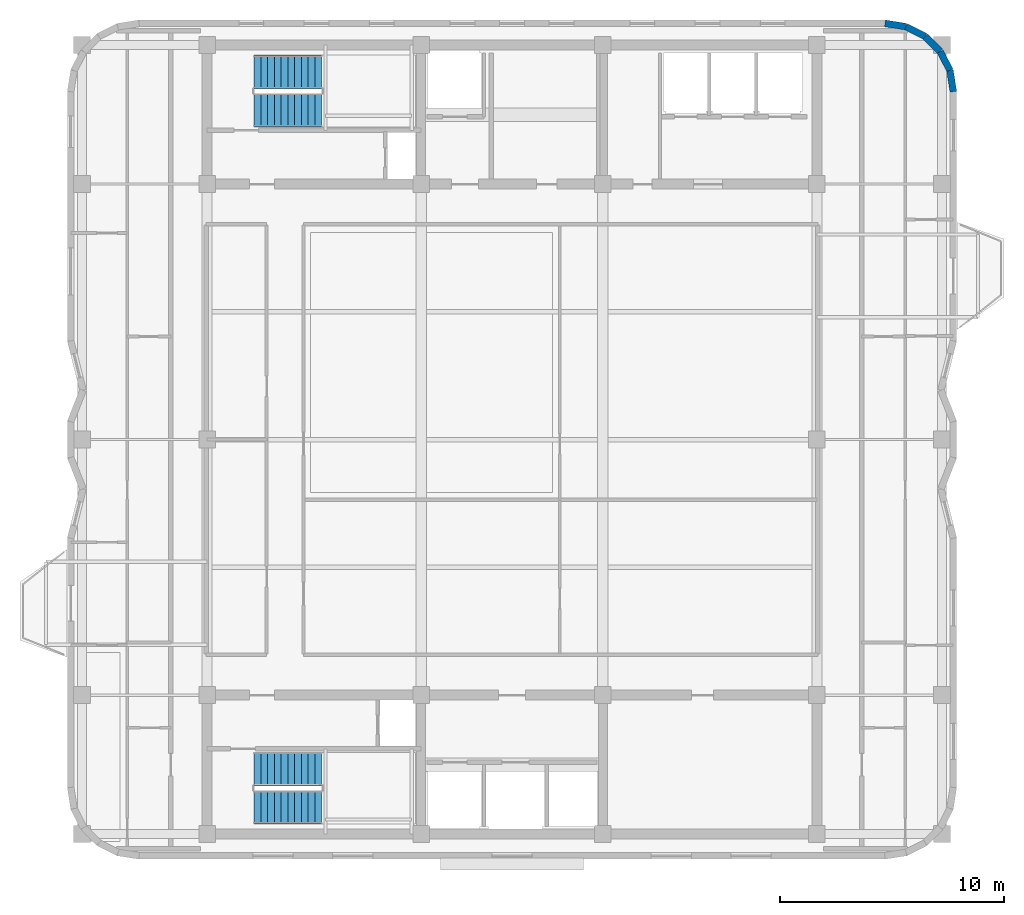
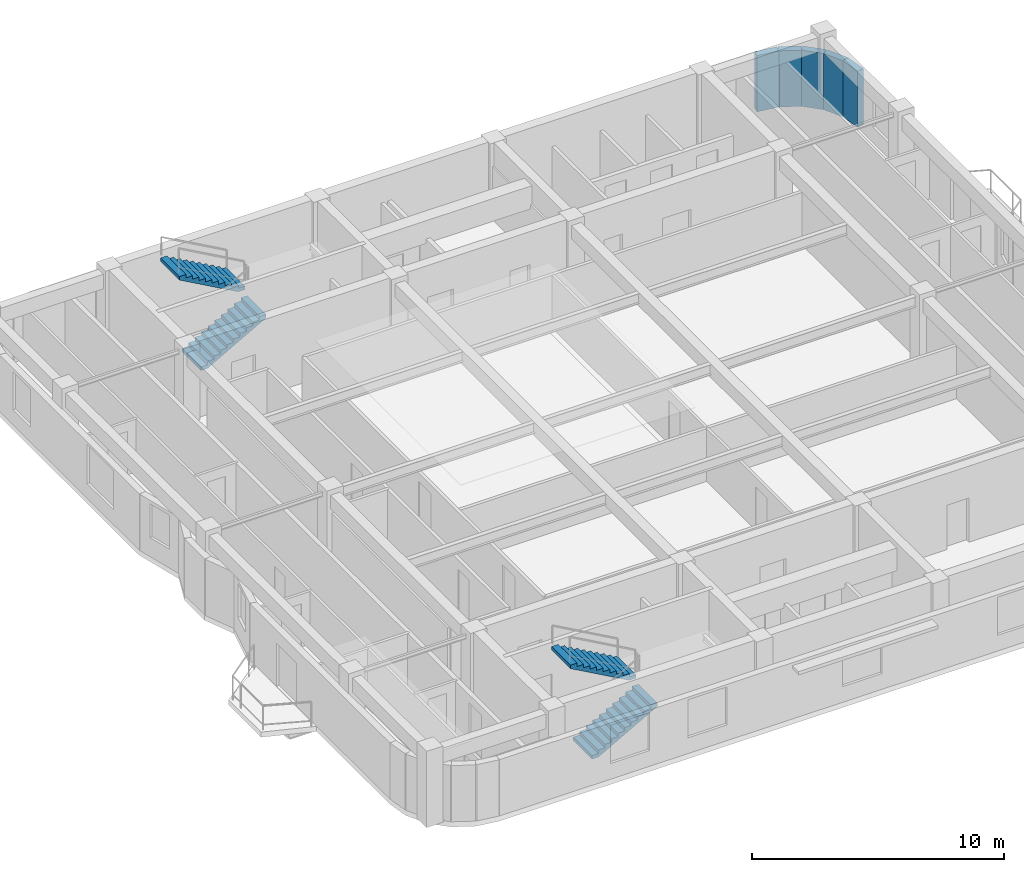
# One storey, part 6 of 8: 5 walls, 4 stair flights, 2 elements without a shape of their own.
"""IFC4 building model written with IfcOpenShell, lengths in metres."""

from ifc_helpers import new_model, si_unit, direction, frame, frame_2d, origin, place, context, subcontext, project, spatial, polyline, rectangle, outline, extrude, material, layer, layer_set, type_object, element, aggregate, save


model = new_model("IFC4")

# Units and contexts
model_context = context("Model", 3, precision=1e-05, world=origin(), true_north=direction((0.0, 1.0)))
body_context = subcontext(model_context, "Body", "Model", "MODEL_VIEW")
ifc_project = project(units=[si_unit("LENGTHUNIT", "METRE"), si_unit("AREAUNIT", "SQUARE_METRE"), si_unit("VOLUMEUNIT", "CUBIC_METRE"), si_unit("PLANEANGLEUNIT", "RADIAN"), si_unit("MASSUNIT", "GRAM", prefix="KILO")], contexts=[model_context])

# Site, building, storey
site_placement = place(None, origin())
site = spatial("IfcSite", under=ifc_project, at=site_placement, CompositionType="ELEMENT")
building_placement = place(site_placement, origin())
building = spatial("IfcBuilding", under=site, at=building_placement, Name="Svetorya Sky Lyceum", CompositionType="ELEMENT")
storey_placement = place(building_placement, frame((0.0, 0.0, 260.199951171875)))
storey = spatial("IfcBuildingStorey", under=building, at=storey_placement, Name="L65", CompositionType="ELEMENT", Elevation=260.199951171875)

# Walls
ifc_material_1 = material(Name="Putilovo limestone rainscreen on autoclaved cellular masonry", Category="masonry")
ifc_layer = layer(ifc_material_1, 0.300048828125)
ifc_layer_set = layer_set([ifc_layer], Name="Putilovo limestone rainscreen on autoclaved cellular masonry")
wall_type = type_object("IfcWallType", Name="WL-EXT-300", PredefinedType="SOLIDWALL", material=ifc_layer_set)
wall_1_placement = place(storey_placement, frame((58.889892578125, 43.719970703125, 0.0), z_axis=(0.0, 0.0, 1.0), x_axis=(-0.156304114255, 0.987708977314, 0.0)))
element("IfcWall", 1, at=wall_1_placement, inside=storey, type_object=wall_type, Name="L65 Limestone Exterior Wall 19M", PredefinedType="SOLIDWALL", context=body_context, shape_type="SweptSolid", body=[
    extrude(rectangle(XDim=0.954345703125, YDim=0.300048828125, at=frame_2d((0.47705078125, 0.0))), origin(), (0.0, 0.0, 1.0), 2.72998046875),
])
wall_2_placement = place(storey_placement, frame((58.74072265625, 44.66259765625, 0.0), z_axis=(0.0, 0.0, 1.0), x_axis=(-0.45395644796, 0.891023873617, 0.0)))
element("IfcWall", 2, at=wall_2_placement, inside=storey, type_object=wall_type, Name="L65 Limestone Exterior Wall 20M", PredefinedType="SOLIDWALL", context=body_context, shape_type="SweptSolid", body=[
    extrude(rectangle(XDim=0.9541015625, YDim=0.300048828125, at=frame_2d((0.47705078125, 0.0))), origin(), (0.0, 0.0, 1.0), 2.72998046875),
])
for number, where, z_axis, x_axis, name in (
    (3, (58.3076171875, 45.5126953125, 0.0), (0.0, 0.0, 1.0), (-0.707106781187, 0.707106781187, 0.0), "L65 Limestone Exterior Wall 21M"),
    (4, (57.6328125, 46.1875, 0.0), (0.0, 0.0, 1.0), (-0.891076589373, 0.453852962833, 0.0), "L65 Limestone Exterior Wall 22M"),
):
    element("IfcWall", number, at=place(storey_placement, frame(where, z_axis=z_axis, x_axis=x_axis)), inside=storey, type_object=wall_type, Name=name, PredefinedType="SOLIDWALL", context=body_context, shape_type="SweptSolid", body=[
        extrude(rectangle(XDim=0.954345703125, YDim=0.300048828125, at=frame_2d((0.47705078125, 0.0))), origin(), (0.0, 0.0, 1.0), 2.72998046875),
    ])
wall_3_placement = place(storey_placement, frame((56.782470703125, 46.62060546875, 0.0), z_axis=(0.0, 0.0, 1.0), x_axis=(-0.987663181641, 0.156593229835, 0.0)))
element("IfcWall", 5, at=wall_3_placement, inside=storey, type_object=wall_type, Name="L65 Limestone Exterior Wall 23M", PredefinedType="SOLIDWALL", context=body_context, shape_type="SweptSolid", body=[
    extrude(rectangle(XDim=0.9541015625, YDim=0.300048828125, at=frame_2d((0.47705078125, 0.0))), origin(), (0.0, 0.0, 1.0), 2.72998046875),
])

# Stair, stair flights
ifc_material_2 = material(Name="Concrete C40/50", Category="concrete")
stair_type_1 = type_object("IfcStairType", Name="STR-ST-N", PredefinedType="HALF_TURN_STAIR", material=ifc_material_2)
stair_1_placement = place(storey_placement, origin())
stair_1 = element("IfcStair", 6, at=stair_1_placement, inside=storey, type_object=stair_type_1, Name="L65 North Core Smoke-Free Exit Stair N3", PredefinedType="HALF_TURN_STAIR")
stair_flight_type_1 = type_object("IfcStairFlightType", Name="SFL-ST-N", PredefinedType="STRAIGHT", material=ifc_material_2)
stair_flight_1_placement = place(storey_placement, frame((27.699951171875, 42.89990234375, 0.0), z_axis=(0.0, 0.0, 1.0), x_axis=(1.0, 0.0, 0.0)))
stair_flight_1 = element("IfcStairFlight", 7, at=stair_flight_1_placement, type_object=stair_flight_type_1, Name="ST-N flight 1", NumberOfRisers=11, NumberOfTreads=10, PredefinedType="STRAIGHT", RiserHeight=0.168181818, TreadLength=0.3, context=body_context, shape_type="SweptSolid", body=[
    extrude(outline(polyline([(0.0, 0.0), (0.0, 0.168212890625), (0.300048828125, 0.168212890625), (0.300048828125, 0.33642578125), (0.60009765625, 0.33642578125), (0.60009765625, 0.504638671875), (0.89990234375, 0.504638671875), (0.89990234375, 0.672607421875), (1.199951171875, 0.672607421875), (1.199951171875, 0.8408203125), (1.5, 0.8408203125), (1.5, 1.009033203125), (1.800048828125, 1.009033203125), (1.800048828125, 1.17724609375), (2.10009765625, 1.17724609375), (2.10009765625, 1.345458984375), (2.39990234375, 1.345458984375), (2.39990234375, 1.513671875), (2.699951171875, 1.513671875), (2.699951171875, 1.681884765625), (3.0, 1.681884765625), (3.0, 1.85009765625), (3.0, 1.510009765625), (0.306640625, 0.0), (0.0, 0.0)])), frame((0.0, 0.75, 0.0), z_axis=(0.0, -1.0, 0.0), x_axis=(1.0, 0.0, 0.0)), (0.0, 0.0, 1.0), 1.5),
])
stair_flight_2_placement = place(storey_placement, frame((30.699951171875, 44.60009765625, 1.85009765625), z_axis=(0.0, 0.0, 1.0), x_axis=(-1.0, 0.0, 0.0)))
stair_flight_2 = element("IfcStairFlight", 8, at=stair_flight_2_placement, type_object=stair_flight_type_1, Name="ST-N flight 2", NumberOfRisers=11, NumberOfTreads=10, PredefinedType="STRAIGHT", RiserHeight=0.168181818, TreadLength=0.3, context=body_context, shape_type="SweptSolid", body=[
    extrude(outline(polyline([(0.0, 0.0), (0.0, 0.168212890625), (0.300048828125, 0.168212890625), (0.300048828125, 0.33642578125), (0.60009765625, 0.33642578125), (0.60009765625, 0.504638671875), (0.89990234375, 0.504638671875), (0.89990234375, 0.672607421875), (1.199951171875, 0.672607421875), (1.199951171875, 0.8408203125), (1.5, 0.8408203125), (1.5, 1.009033203125), (1.800048828125, 1.009033203125), (1.800048828125, 1.17724609375), (2.10009765625, 1.17724609375), (2.10009765625, 1.345458984375), (2.39990234375, 1.345458984375), (2.39990234375, 1.513671875), (2.699951171875, 1.513671875), (2.699951171875, 1.681884765625), (3.0, 1.681884765625), (3.0, 1.85009765625), (3.0, 1.510009765625), (0.306640625, 0.0), (0.0, 0.0)])), frame((0.0, 0.75, 0.0), z_axis=(0.0, -1.0, 0.0), x_axis=(1.0, 0.0, 0.0)), (0.0, 0.0, 1.0), 1.5),
])
aggregate(stair_1, [stair_flight_1, stair_flight_2])

stair_type_2 = type_object("IfcStairType", Name="STR-ST-S", PredefinedType="HALF_TURN_STAIR", material=ifc_material_2)
stair_2_placement = place(storey_placement, origin())
stair_2 = element("IfcStair", 9, at=stair_2_placement, inside=storey, type_object=stair_type_2, Name="L65 South Core Smoke-Free Exit Stair N2", PredefinedType="HALF_TURN_STAIR")
stair_flight_type_2 = type_object("IfcStairFlightType", Name="SFL-ST-S", PredefinedType="STRAIGHT", material=ifc_material_2)
stair_flight_3_placement = place(storey_placement, frame((27.699951171875, 11.800048828125, 0.0), z_axis=(0.0, 0.0, 1.0), x_axis=(1.0, 0.0, 0.0)))
stair_flight_3 = element("IfcStairFlight", 10, at=stair_flight_3_placement, type_object=stair_flight_type_2, Name="ST-S flight 1", NumberOfRisers=11, NumberOfTreads=10, PredefinedType="STRAIGHT", RiserHeight=0.168181818, TreadLength=0.3, context=body_context, shape_type="SweptSolid", body=[
    extrude(outline(polyline([(0.0, 0.0), (0.0, 0.168212890625), (0.300048828125, 0.168212890625), (0.300048828125, 0.33642578125), (0.60009765625, 0.33642578125), (0.60009765625, 0.504638671875), (0.89990234375, 0.504638671875), (0.89990234375, 0.672607421875), (1.199951171875, 0.672607421875), (1.199951171875, 0.8408203125), (1.5, 0.8408203125), (1.5, 1.009033203125), (1.800048828125, 1.009033203125), (1.800048828125, 1.17724609375), (2.10009765625, 1.17724609375), (2.10009765625, 1.345458984375), (2.39990234375, 1.345458984375), (2.39990234375, 1.513671875), (2.699951171875, 1.513671875), (2.699951171875, 1.681884765625), (3.0, 1.681884765625), (3.0, 1.85009765625), (3.0, 1.510009765625), (0.306640625, 0.0), (0.0, 0.0)])), frame((0.0, 0.75, 0.0), z_axis=(0.0, -1.0, 0.0), x_axis=(1.0, 0.0, 0.0)), (0.0, 0.0, 1.0), 1.5),
])
stair_flight_4_placement = place(storey_placement, frame((30.699951171875, 13.5, 1.85009765625), z_axis=(0.0, 0.0, 1.0), x_axis=(-1.0, 0.0, 0.0)))
stair_flight_4 = element("IfcStairFlight", 11, at=stair_flight_4_placement, type_object=stair_flight_type_2, Name="ST-S flight 2", NumberOfRisers=11, NumberOfTreads=10, PredefinedType="STRAIGHT", RiserHeight=0.168181818, TreadLength=0.3, context=body_context, shape_type="SweptSolid", body=[
    extrude(outline(polyline([(0.0, 0.0), (0.0, 0.168212890625), (0.300048828125, 0.168212890625), (0.300048828125, 0.33642578125), (0.60009765625, 0.33642578125), (0.60009765625, 0.504638671875), (0.89990234375, 0.504638671875), (0.89990234375, 0.672607421875), (1.199951171875, 0.672607421875), (1.199951171875, 0.8408203125), (1.5, 0.8408203125), (1.5, 1.009033203125), (1.800048828125, 1.009033203125), (1.800048828125, 1.17724609375), (2.10009765625, 1.17724609375), (2.10009765625, 1.345458984375), (2.39990234375, 1.345458984375), (2.39990234375, 1.513671875), (2.699951171875, 1.513671875), (2.699951171875, 1.681884765625), (3.0, 1.681884765625), (3.0, 1.85009765625), (3.0, 1.510009765625), (0.306640625, 0.0), (0.0, 0.0)])), frame((0.0, 0.75, 0.0), z_axis=(0.0, -1.0, 0.0), x_axis=(1.0, 0.0, 0.0)), (0.0, 0.0, 1.0), 1.5),
])
aggregate(stair_2, [stair_flight_3, stair_flight_4])

save(model, "model.ifc")
